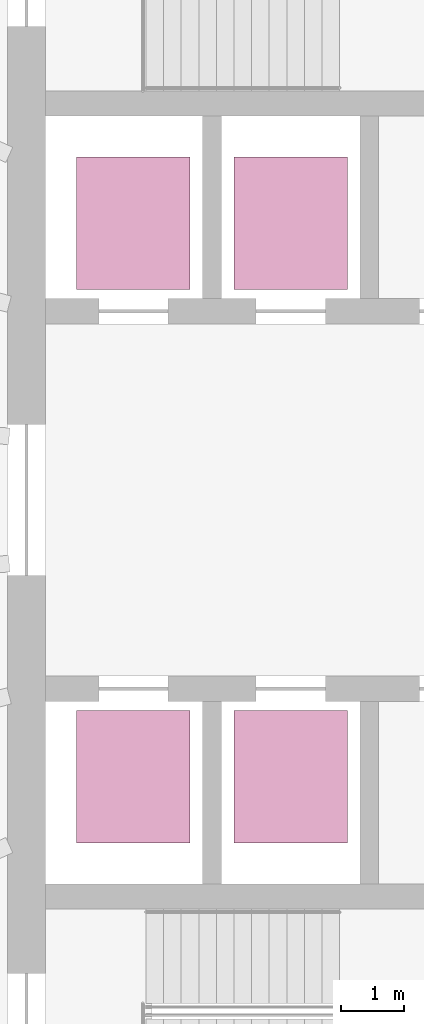
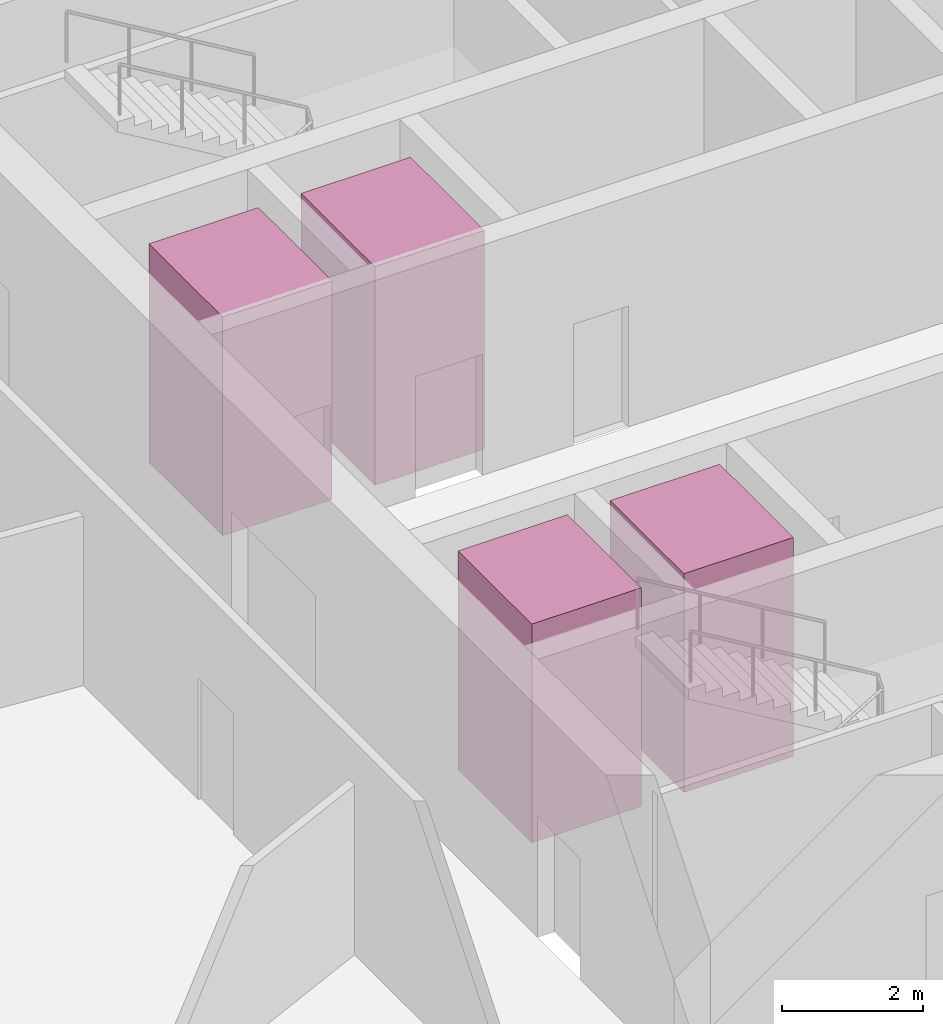
# One storey, part 10 of 10: 4 transport elements.
"""IFC4 building model written with IfcOpenShell, lengths in metres."""

from ifc_helpers import new_model, si_unit, direction, frame, origin, origin_2d, place, context, subcontext, project, spatial, rectangle, extrude, material, type_object, element, save


model = new_model("IFC4")

# Units and contexts
model_context = context("Model", 3, precision=1e-05, world=origin(), true_north=direction((0.0, 1.0)))
body_context = subcontext(model_context, "Body", "Model", "MODEL_VIEW")
ifc_project = project(units=[si_unit("LENGTHUNIT", "METRE"), si_unit("AREAUNIT", "SQUARE_METRE"), si_unit("VOLUMEUNIT", "CUBIC_METRE"), si_unit("PLANEANGLEUNIT", "RADIAN"), si_unit("MASSUNIT", "GRAM", prefix="KILO")], contexts=[model_context])

# Site, building, storey
site_placement = place(None, origin())
site = spatial("IfcSite", under=ifc_project, at=site_placement, CompositionType="ELEMENT")
building_placement = place(site_placement, origin())
building = spatial("IfcBuilding", under=site, at=building_placement, Name="Halqa Exchange Tower", CompositionType="ELEMENT")
storey_placement = place(building_placement, frame((0.0, 0.0, 280.300048828125)))
storey = spatial("IfcBuildingStorey", under=building, at=storey_placement, Name="L65", CompositionType="ELEMENT", Elevation=280.300048828125)

# Transport elements
ifc_material = material(Name="Stainless steel", Category="steel")
transport_element_type = type_object("IfcTransportElementType", Name="High-rise passenger lift 1800 x 2100", PredefinedType="ELEVATOR", material=ifc_material)
for number, where, z_axis, x_axis, name in (
    (1, (-10.0, 4.39990234375, 0.0), (0.0, 0.0, 1.0), (1.0, 0.0, 0.0), "High-rise passenger lift HR1"),
    (2, (-7.5, 4.39990234375, 0.0), (0.0, 0.0, 1.0), (1.0, 0.0, 0.0), "High-rise passenger lift HR2"),
    (3, (-10.0, -4.39990234375, 0.0), (0.0, 0.0, 1.0), (1.0, 0.0, 0.0), "High-rise passenger lift HR3"),
    (4, (-7.5, -4.39990234375, 0.0), (0.0, 0.0, 1.0), (1.0, 0.0, 0.0), "High-rise passenger lift HR4"),
):
    element("IfcTransportElement", number, at=place(storey_placement, frame(where, z_axis=z_axis, x_axis=x_axis)), inside=storey, type_object=transport_element_type, Name=name, PredefinedType="ELEVATOR", context=body_context, shape_type="SweptSolid", body=[
        extrude(rectangle(XDim=1.800048828125, YDim=2.10009765625, at=origin_2d()), origin(), (0.0, 0.0, 1.0), 3.800048828125),
    ])

save(model, "model.ifc")
